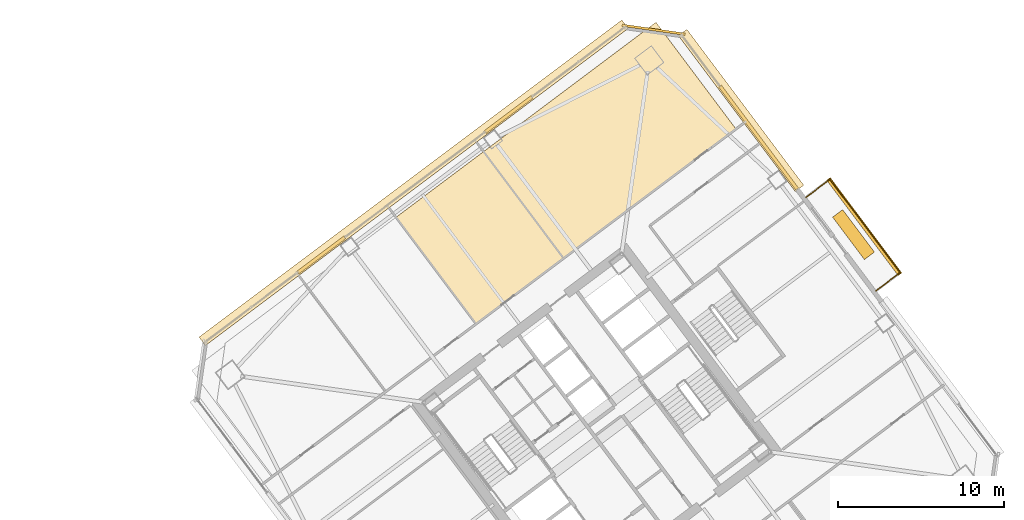
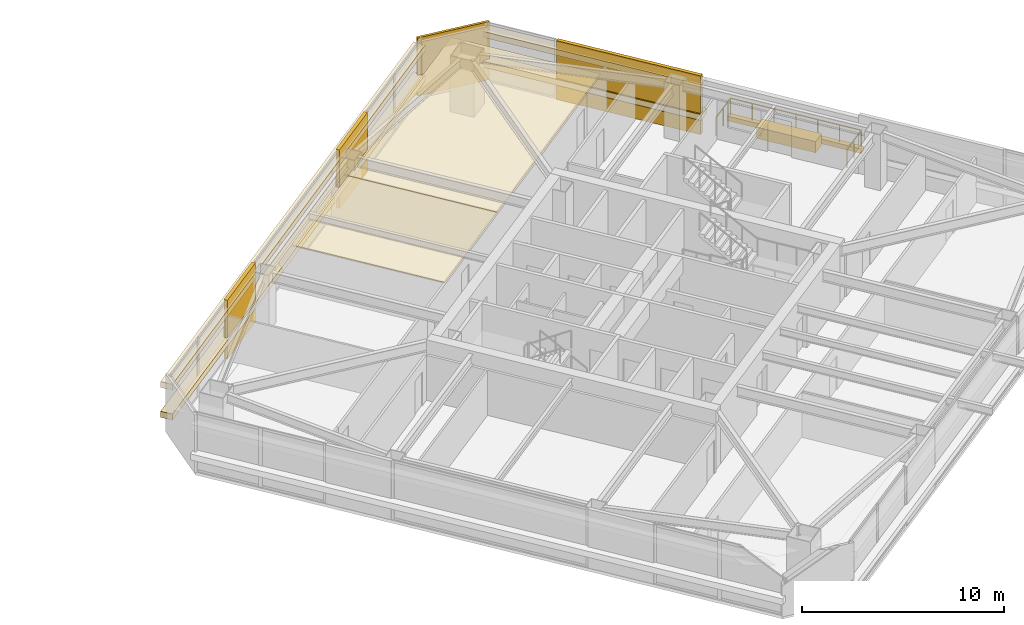
# One storey, part 46 of 46: 12 coverings, 3 railings.
"""IFC4 building model written with IfcOpenShell, lengths in metres."""

from ifc_helpers import new_model, si_unit, direction, frame, origin, origin_2d, place, context, subcontext, project, spatial, polyline, rectangle, outline, extrude, material, layer, layer_set, type_object, element, save


model = new_model("IFC4")

# Units and contexts
model_context = context("Model", 3, precision=1e-05, world=origin(), true_north=direction((0.0, 1.0)))
body_context = subcontext(model_context, "Body", "Model", "MODEL_VIEW")
ifc_project = project(units=[si_unit("LENGTHUNIT", "METRE"), si_unit("AREAUNIT", "SQUARE_METRE"), si_unit("VOLUMEUNIT", "CUBIC_METRE"), si_unit("PLANEANGLEUNIT", "RADIAN"), si_unit("MASSUNIT", "GRAM", prefix="KILO")], contexts=[model_context])

# Site, building, storey
site_placement = place(None, origin())
site = spatial("IfcSite", under=ifc_project, at=site_placement, CompositionType="ELEMENT")
building_placement = place(site_placement, origin())
building = spatial("IfcBuilding", under=site, at=building_placement, Name="Tashvorn Skyway Center", CompositionType="ELEMENT")
storey_placement = place(building_placement, frame((0.0, 0.0, 132.14990234375)))
storey = spatial("IfcBuildingStorey", under=building, at=storey_placement, Name="L35", CompositionType="ELEMENT", Elevation=132.14990234375)

# Coverings
ifc_material_1 = material(Name="Precast concrete C40/50", Category="concrete")
ifc_layer_1 = layer(ifc_material_1, 0.199951171875)
ifc_layer_set_1 = layer_set([ifc_layer_1], Name="Precast concrete C40/50")
covering_type_1 = type_object("IfcCoveringType", Name="COV-BRACE-CLAD", PredefinedType="CLADDING", material=ifc_layer_set_1)
for number, where, z_axis, x_axis, name in (
    (1, (97.3857421875, 42.389404296875, 0.0), (0.0, 0.0, 1.0), (0.799999996291, 0.600000004945, 0.0), "Tower 2 L35 North Unitised Curtain Wall Mega-Brace Cladding Band 1"),
    (2, (108.67822265625, 50.858642578125, 0.0), (0.0, 0.0, 1.0), (0.799999996291, 0.600000004945, 0.0), "Tower 2 L35 North Unitised Curtain Wall Mega-Brace Cladding Band 2"),
):
    element("IfcCovering", number, at=place(storey_placement, frame(where, z_axis=z_axis, x_axis=x_axis)), inside=storey, type_object=covering_type_1, Name=name, PredefinedType="CLADDING", context=body_context, shape_type="SweptSolid", body=[
        extrude(rectangle(XDim=3.52880859375, YDim=0.199951171875, at=origin_2d()), origin(), (0.0, 0.0, 1.0), 3.550048828125),
    ])
covering_1_placement = place(storey_placement, frame((123.748046875, 49.46923828125, 0.0), z_axis=(0.0, 0.0, 1.0), x_axis=(0.600000004945, -0.799999996291, 0.0)))
element("IfcCovering", 3, at=covering_1_placement, inside=storey, type_object=covering_type_1, Name="Tower 2 L35 East Curtain Wall L Mega-Brace Cladding Band 1", PredefinedType="CLADDING", context=body_context, shape_type="SweptSolid", body=[
    extrude(rectangle(XDim=7.75341796875, YDim=0.199951171875, at=origin_2d()), origin(), (0.0, 0.0, 1.0), 3.550048828125),
])
ifc_material_2 = material(Name="Mineral-fibre acoustic ceiling tile on suspended grid")
ifc_layer_2 = layer(ifc_material_2, 0.02001953125)
ifc_layer_set_2 = layer_set([ifc_layer_2], Name="Mineral-fibre acoustic ceiling tile on suspended grid")
covering_type_2 = type_object("IfcCoveringType", Name="COV-CEIL-20", PredefinedType="CEILING", material=ifc_layer_set_2)
covering_2_placement = place(storey_placement, frame((0.0, 0.0, 2.703125)))
element("IfcCovering", 4, at=covering_2_placement, inside=storey, type_object=covering_type_2, Name="Tower 2 L35 Design Studio Acoustic Ceiling", PredefinedType="CEILING", context=body_context, shape_type="SweptSolid", body=[
    extrude(outline(polyline([(106.7099609375, 38.219970703125), (111.989990234375, 42.179931640625), (107.159912109375, 48.6201171875), (101.8798828125, 44.659912109375), (106.7099609375, 38.219970703125)])), origin(), (0.0, 0.0, 1.0), 0.02001953125),
])
covering_3_placement = place(storey_placement, frame((0.0, 0.0, 2.703125)))
element("IfcCovering", 5, at=covering_3_placement, inside=storey, type_object=covering_type_2, Name="Tower 2 L35 Gallery Showroom Acoustic Ceiling", PredefinedType="CEILING", context=body_context, shape_type="SweptSolid", body=[
    extrude(outline(polyline([(111.989990234375, 42.179931640625), (122.389892578125, 49.97998046875), (117.56005859375, 56.419921875), (107.159912109375, 48.6201171875), (111.989990234375, 42.179931640625)])), origin(), (0.0, 0.0, 1.0), 0.02001953125),
])
ifc_material_3 = material(Name="Perforated ceramic-coated bronze aluminium solar screen", Category="aluminium")
ifc_layer_3 = layer(ifc_material_3, 0.85009765625)
ifc_layer_set_3 = layer_set([ifc_layer_3], Name="Perforated ceramic-coated bronze aluminium solar screen")
covering_type_3 = type_object("IfcCoveringType", Name="COV-SOLAR-BAND", PredefinedType="CLADDING", material=ifc_layer_set_3)
for number, where, z_axis, x_axis, name in (
    (6, (102.947998046875, 46.736083984375, 0.919921875), (0.0, 0.0, 1.0), (0.799999996291, 0.600000004945, 0.0), "L35 Perforated Ceramic-Metal Solar Screen Louvre Band North 1"),
    (7, (102.947998046875, 46.736083984375, 2.72021484375), (0.0, 0.0, 1.0), (0.799999996291, 0.600000004945, 0.0), "L35 Perforated Ceramic-Metal Solar Screen Louvre Band North 2"),
):
    element("IfcCovering", number, at=place(storey_placement, frame(where, z_axis=z_axis, x_axis=x_axis)), inside=storey, type_object=covering_type_3, Name=name, PredefinedType="CLADDING", context=body_context, shape_type="SweptSolid", body=[
        extrude(rectangle(XDim=31.8798828125, YDim=0.639892578125, at=origin_2d()), origin(), (0.0, 0.0, 1.0), 0.360107421875),
    ])
for number, where, z_axis, x_axis, name in (
    (8, (122.697021484375, 51.10400390625, 0.919921875), (0.0, 0.0, 1.0), (0.600000004945, -0.799999996291, 0.0), "L35 Perforated Ceramic-Metal Solar Screen Louvre Band East 1"),
    (9, (122.697021484375, 51.10400390625, 2.72021484375), (0.0, 0.0, 1.0), (0.600000004945, -0.799999996291, 0.0), "L35 Perforated Ceramic-Metal Solar Screen Louvre Band East 2"),
):
    element("IfcCovering", number, at=place(storey_placement, frame(where, z_axis=z_axis, x_axis=x_axis)), inside=storey, type_object=covering_type_3, Name=name, PredefinedType="CLADDING", context=body_context, shape_type="SweptSolid", body=[
        extrude(rectangle(XDim=11.75, YDim=0.639892578125, at=origin_2d()), origin(), (0.0, 0.0, 1.0), 0.360107421875),
    ])
ifc_layer_4 = layer(ifc_material_1, 0.35009765625)
ifc_layer_set_4 = layer_set([ifc_layer_4], Name="Precast concrete C40/50")
covering_type_4 = type_object("IfcCoveringType", Name="COV-STONE-TRIM", PredefinedType="CLADDING", material=ifc_layer_set_4)
covering_4_placement = place(storey_placement, frame((130.1279296875, 44.095947265625, -0.16015625), z_axis=(0.0, 0.0, 1.0), x_axis=(0.600000004945, -0.799999996291, 0.0)))
element("IfcCovering", 10, at=covering_4_placement, inside=storey, type_object=covering_type_4, Name="Tower 2 L35 Spiral Terrace Terracotta Fascia", PredefinedType="CLADDING", context=body_context, shape_type="SweptSolid", body=[
    extrude(rectangle(XDim=7.199951171875, YDim=0.280029296875, at=origin_2d()), origin(), (0.0, 0.0, 1.0), 0.280029296875),
])
covering_5_placement = place(storey_placement, frame((129.47998046875, 43.610107421875, 0.0), z_axis=(0.0, 0.0, 1.0), x_axis=(0.600000004945, -0.799999996291, 0.0)))
element("IfcCovering", 11, at=covering_5_placement, inside=storey, type_object=covering_type_4, Name="Tower 2 L35 Spiral Terrace Planter", PredefinedType="CLADDING", context=body_context, shape_type="SweptSolid", body=[
    extrude(rectangle(XDim=3.199951171875, YDim=0.75, at=origin_2d()), origin(), (0.0, 0.0, 1.0), 0.679931640625),
])
covering_6_placement = place(storey_placement, frame((117.424072265625, 55.968017578125, 0.02001953125), z_axis=(0.0, 0.0, 1.0), x_axis=(0.989949494535, -0.141421350118, 0.0)))
element("IfcCovering", 12, at=covering_6_placement, inside=storey, type_object=covering_type_4, Name="Tower 2 L35 NE Mojave Limestone Corner Quoin", PredefinedType="CLADDING", context=body_context, shape_type="SweptSolid", body=[
    extrude(rectangle(XDim=3.8369140625, YDim=0.139892578125, at=origin_2d()), origin(), (0.0, 0.0, 1.0), 3.510009765625),
])

# Railings
ifc_material_4 = material(Name="Galvanized steel S355", Category="steel")
railing_type = type_object("IfcRailingType", Name="RAIL-GUARD-1120", PredefinedType="GUARDRAIL", material=ifc_material_4)
railing_1_placement = place(storey_placement, frame((130.83203125, 40.22412109375, 0.0)))
element("IfcRailing", 13, at=railing_1_placement, inside=storey, type_object=railing_type, Name="L35 Tower 2 Terrace Guardrail 01", PredefinedType="GUARDRAIL", context=body_context, shape_type="SweptSolid", body=[
    extrude(rectangle(XDim=0.048095703125, YDim=0.048095703125, at=origin_2d()), frame((0.0, 0.0, 1.09619140625), z_axis=(0.800064386893, 0.599914141212, 0.0), x_axis=(-0.599914141212, 0.800064386893, 0.0)), (0.0, 0.0, 1.0), 1.81982421875),
    extrude(rectangle(XDim=0.0419921875, YDim=0.0419921875, at=origin_2d()), origin(), (0.0, 0.0, 1.0), 1.072021484375),
    extrude(rectangle(XDim=0.0419921875, YDim=0.0419921875, at=origin_2d()), frame((0.72802734375, 0.5458984375, 0.0)), (0.0, 0.0, 1.0), 1.072021484375),
    extrude(rectangle(XDim=0.0419921875, YDim=0.0419921875, at=origin_2d()), frame((1.4560546875, 1.091796875, 0.0)), (0.0, 0.0, 1.0), 1.072021484375),
])
railing_2_placement = place(storey_placement, frame((132.2880859375, 41.31591796875, 0.0)))
element("IfcRailing", 14, at=railing_2_placement, inside=storey, type_object=railing_type, Name="L35 Tower 2 Terrace Guardrail 02", PredefinedType="GUARDRAIL", context=body_context, shape_type="SweptSolid", body=[
    extrude(rectangle(XDim=0.048095703125, YDim=0.048095703125, at=origin_2d()), frame((0.0, 0.0, 1.09619140625), z_axis=(-0.600005548528, 0.799995838574, 0.0), x_axis=(-0.799995838574, -0.600005548528, 0.0)), (0.0, 0.0, 1.0), 7.0400390625),
    extrude(rectangle(XDim=0.0419921875, YDim=0.0419921875, at=origin_2d()), origin(), (0.0, 0.0, 1.0), 1.072021484375),
    extrude(rectangle(XDim=0.0419921875, YDim=0.0419921875, at=origin_2d()), frame((-0.7041015625, 0.938720703125, 0.0)), (0.0, 0.0, 1.0), 1.072021484375),
    extrude(rectangle(XDim=0.0419921875, YDim=0.0419921875, at=origin_2d()), frame((-1.407958984375, 1.87744140625, 0.0)), (0.0, 0.0, 1.0), 1.072021484375),
    extrude(rectangle(XDim=0.0419921875, YDim=0.0419921875, at=origin_2d()), frame((-2.112060546875, 2.81591796875, 0.0)), (0.0, 0.0, 1.0), 1.072021484375),
    extrude(rectangle(XDim=0.0419921875, YDim=0.0419921875, at=origin_2d()), frame((-2.816162109375, 3.754638671875, 0.0)), (0.0, 0.0, 1.0), 1.072021484375),
    extrude(rectangle(XDim=0.0419921875, YDim=0.0419921875, at=origin_2d()), frame((-3.52001953125, 4.693359375, 0.0)), (0.0, 0.0, 1.0), 1.072021484375),
    extrude(rectangle(XDim=0.0419921875, YDim=0.0419921875, at=origin_2d()), frame((-4.22412109375, 5.632080078125, 0.0)), (0.0, 0.0, 1.0), 1.072021484375),
])
railing_3_placement = place(storey_placement, frame((128.06396484375, 46.947998046875, 0.0)))
element("IfcRailing", 15, at=railing_3_placement, inside=storey, type_object=railing_type, Name="L35 Tower 2 Terrace Guardrail 03", PredefinedType="GUARDRAIL", context=body_context, shape_type="SweptSolid", body=[
    extrude(rectangle(XDim=0.048095703125, YDim=0.048095703125, at=origin_2d()), frame((0.0, 0.0, 1.09619140625), z_axis=(-0.8, -0.6, 0.0), x_axis=(0.6, -0.8, 0.0)), (0.0, 0.0, 1.0), 1.820068359375),
    extrude(rectangle(XDim=0.0419921875, YDim=0.0419921875, at=origin_2d()), origin(), (0.0, 0.0, 1.0), 1.072021484375),
    extrude(rectangle(XDim=0.0419921875, YDim=0.0419921875, at=origin_2d()), frame((-0.72802734375, -0.5458984375, 0.0)), (0.0, 0.0, 1.0), 1.072021484375),
    extrude(rectangle(XDim=0.0419921875, YDim=0.0419921875, at=origin_2d()), frame((-1.4560546875, -1.092041015625, 0.0)), (0.0, 0.0, 1.0), 1.072021484375),
])

save(model, "model.ifc")
